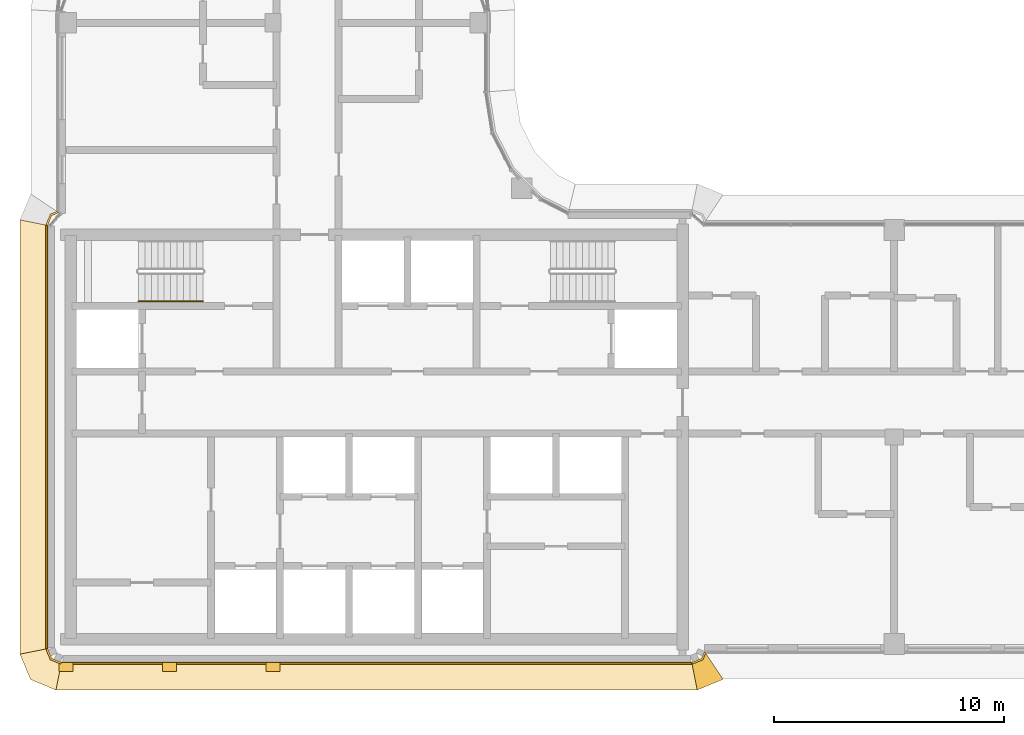
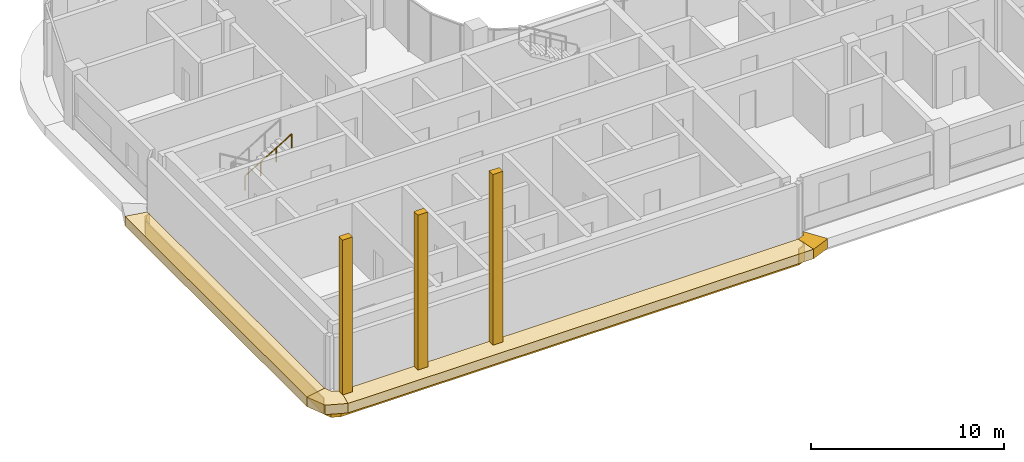
# One storey, part 16 of 20: 12 coverings, 1 railing.
"""IFC4 building model written with IfcOpenShell, lengths in metres."""

import ifcopenshell
import ifcopenshell.guid

model = None  # the IFC model being written
_history = None  # IfcOwnerHistory: only IFC2X3 demands one
_inside = {}  # id of a spatial element -> (the spatial element, [elements in it])
_under = {}  # id of a project, library or spatial element -> (it, [spatial elements below it])
_declared = {}  # id of a project -> (the project, [libraries it declares])
_typed = {}  # id of a type object -> (the type object, [elements of that type])
_made_of = {}  # id of a material, layer set ... -> (it, [elements and type objects made of it])


def new_model(schema):
    """Start an empty IFC model of exactly this schema.

    Asked for "IFC4X3", IfcOpenShell would pick the latest addendum, in which some entities
    have other attributes; the version numbers below select the first issue.
    IFC2X3 requires an IfcOwnerHistory on every rooted entity: one is made here for all.
    """
    global model, _history
    if schema == "IFC4X3":
        model = ifcopenshell.file(schema_version=(4, 3, 0, 0))
    else:
        model = ifcopenshell.file(schema=schema)
    _inside.clear()
    _under.clear()
    _declared.clear()
    _typed.clear()
    _made_of.clear()
    _history = None
    if model.schema == "IFC2X3":
        org = make("IfcOrganization", Name="unknown")
        user = make(
            "IfcPersonAndOrganization",
            ThePerson=make("IfcPerson", FamilyName="unknown"),
            TheOrganization=org,
        )
        app = make(
            "IfcApplication",
            ApplicationDeveloper=org,
            Version="unknown",
            ApplicationFullName="unknown",
            ApplicationIdentifier="unknown",
        )
        _history = make(
            "IfcOwnerHistory",
            OwningUser=user,
            OwningApplication=app,
            ChangeAction="ADDED",
            CreationDate=0,
        )
    return model


def make(cls, **values):
    """One entity of the class cls with the attributes given. An attribute that is None is left unset."""
    return model.create_entity(
        cls, **{name: value for name, value in values.items() if value is not None}
    )


def rooted(cls, **values):
    """An entity with a GlobalId (a new one), such as an element, a storey or a relation."""
    return make(cls, GlobalId=ifcopenshell.guid.new(), OwnerHistory=_history, **values)


def si_unit(unit_type, name, prefix=None):
    """IfcSIUnit, for example si_unit("LENGTHUNIT", "METRE", prefix="MILLI")."""
    return make("IfcSIUnit", UnitType=unit_type, Prefix=prefix, Name=name)


def assignment(units):
    """IfcUnitAssignment: the units of a project."""
    return None if units is None else make("IfcUnitAssignment", Units=units)


def point(xyz):
    """IfcCartesianPoint."""
    return None if xyz is None else make("IfcCartesianPoint", Coordinates=xyz)


def direction(xyz):
    """IfcDirection."""
    return None if xyz is None else make("IfcDirection", DirectionRatios=xyz)


def frame(location, z_axis=None, x_axis=None):
    """IfcAxis2Placement3D, a coordinate frame: its origin and axes. An axis left out is left unset."""
    return make(
        "IfcAxis2Placement3D",
        Location=point(location),
        Axis=direction(z_axis),
        RefDirection=direction(x_axis),
    )


def frame_2d(location, x_axis=None):
    """IfcAxis2Placement2D, a coordinate frame in the plane: its origin and x axis."""
    return make(
        "IfcAxis2Placement2D", Location=point(location), RefDirection=direction(x_axis)
    )


def origin():
    """The frame at (0, 0, 0) with its axes left unset."""
    return frame((0.0, 0.0, 0.0))


def origin_2d():
    """The frame at (0, 0) in the plane with its x axis left unset."""
    return frame_2d((0.0, 0.0))


def place(relative_to, where):
    """IfcLocalPlacement: puts the frame where relative to a parent placement (None: the world)."""
    return make(
        "IfcLocalPlacement", PlacementRelTo=relative_to, RelativePlacement=where
    )


def context(
    kind, dimensions, precision=None, world=None, true_north=None, identifier=None
):
    """IfcGeometricRepresentationContext, for example the 3D "Model" context."""
    return make(
        "IfcGeometricRepresentationContext",
        ContextIdentifier=identifier,
        ContextType=kind,
        CoordinateSpaceDimension=dimensions,
        Precision=precision,
        WorldCoordinateSystem=world,
        TrueNorth=true_north,
    )


def subcontext(parent, identifier, kind, view, scale=None):
    """IfcGeometricRepresentationSubContext, for example "Body" below "Model"."""
    return make(
        "IfcGeometricRepresentationSubContext",
        ContextIdentifier=identifier,
        ContextType=kind,
        ParentContext=parent,
        TargetScale=scale,
        TargetView=view,
    )


def project(units=None, contexts=None):
    """IfcProject with its units and contexts."""
    return rooted(
        "IfcProject",
        Name="project",
        RepresentationContexts=contexts,
        UnitsInContext=assignment(units),
    )


def spatial(cls, under=None, at=None, **own):
    """A site, building, storey or space (cls), placed at a placement, below another one or the project."""
    s = rooted(cls, ObjectPlacement=at, **own)
    if under is not None:
        _under.setdefault(under.id(), (under, []))[1].append(s)
    return s


def polyline(points):
    """IfcPolyline through the points."""
    return make("IfcPolyline", Points=[point(p) for p in points])


def profile(cls, at=None, kind="AREA", **sizes):
    """A parametric profile (cls). Its sizes go by their IFC names, for example OverallWidth=200.0."""
    return make(cls, ProfileType=kind, Position=at, **sizes)


def rectangle(**sizes):
    """IfcRectangleProfileDef."""
    return profile("IfcRectangleProfileDef", **sizes)


def circle(**sizes):
    """IfcCircleProfileDef."""
    return profile("IfcCircleProfileDef", **sizes)


def outline(outer, holes=None, kind="AREA"):
    """IfcArbitraryClosedProfileDef: a profile drawn as a closed curve; with holes, ...WithVoids."""
    if holes is None:
        return make("IfcArbitraryClosedProfileDef", ProfileType=kind, OuterCurve=outer)
    return make(
        "IfcArbitraryProfileDefWithVoids",
        ProfileType=kind,
        OuterCurve=outer,
        InnerCurves=holes,
    )


def extrude(swept, where, along, depth):
    """IfcExtrudedAreaSolid: the profile swept, set in the frame where, extruded along a direction by depth."""
    return make(
        "IfcExtrudedAreaSolid",
        SweptArea=swept,
        Position=where,
        ExtrudedDirection=direction(along),
        Depth=depth,
    )


def shape(context_of_items, identifier, shape_type, items):
    """IfcShapeRepresentation: the items that make up one representation, for example the "Body"."""
    return make(
        "IfcShapeRepresentation",
        ContextOfItems=context_of_items,
        RepresentationIdentifier=identifier,
        RepresentationType=shape_type,
        Items=items,
    )


def material(Name=None, Category=None):
    """IfcMaterial."""
    return make("IfcMaterial", Name=Name, Category=Category)


def layer(
    of_material, thickness, ventilated=None, Name=None, Category=None, Priority=None
):
    """IfcMaterialLayer: one layer of a wall or slab, of a material (None: an air gap)."""
    return make(
        "IfcMaterialLayer",
        Material=of_material,
        LayerThickness=thickness,
        IsVentilated=ventilated,
        Name=Name,
        Category=Category,
        Priority=Priority,
    )


def layer_set(layers, Name=None):
    """IfcMaterialLayerSet."""
    return make("IfcMaterialLayerSet", MaterialLayers=layers, LayerSetName=Name)


def made_of(thing, what):
    """Note that an element or type object is made of a material, layer set ...; save() writes the relation."""
    if what is not None:
        _made_of.setdefault(what.id(), (what, []))[1].append(thing)
    return thing


def type_object(cls, material=None, **own):
    """A type object (cls), such as IfcWallType, which elements share."""
    return made_of(rooted(cls, **own), material)


def element(
    cls,
    number,
    at=None,
    inside=None,
    cuts=None,
    type_object=None,
    material=None,
    context=None,
    identifier="Body",
    shape_type=None,
    held_by="IfcProductDefinitionShape",
    body=None,
    shapes=None,
    **own,
):
    """One element of the class cls, such as IfcWall. Its Tag is "e" and its number.

    at: its placement. inside: the storey or other place that contains it. cuts: it is an
    opening in that element (IfcRelVoidsElement). A single representation is given by context,
    identifier, shape_type and body (its items); several are given by shapes. held_by: the class
    of the entity that holds the representations. save() writes the other relations.
    """
    e = rooted(cls, Tag="e%d" % number, ObjectPlacement=at, **own)
    if body is not None:
        shapes = [shape(context, identifier, shape_type, body)]
    if shapes is not None:
        e.Representation = make(held_by, Representations=shapes)
    if inside is not None:
        _inside.setdefault(inside.id(), (inside, []))[1].append(e)
    if cuts is not None:
        rooted(
            "IfcRelVoidsElement", RelatingBuildingElement=cuts, RelatedOpeningElement=e
        )
    if type_object is not None:
        _typed.setdefault(type_object.id(), (type_object, []))[1].append(e)
    return made_of(e, material)


def aggregate(whole, parts):
    """IfcRelAggregates: a whole, such as a stair, and the parts it consists of."""
    return rooted("IfcRelAggregates", RelatingObject=whole, RelatedObjects=parts)


def save(model, path):
    """Write the relations noted so far, then the file.

    IfcRelAggregates (storeys below a building ...), IfcRelContainedInSpatialStructure (elements
    in a storey), IfcRelDefinesByType, IfcRelAssociatesMaterial and IfcRelDeclares: one each for
    every whole, place, type object, material and project.
    """
    for whole, parts in _under.values():
        aggregate(whole, parts)
    for where, things in _inside.values():
        rooted(
            "IfcRelContainedInSpatialStructure",
            RelatedElements=things,
            RelatingStructure=where,
        )
    for kind, things in _typed.values():
        rooted("IfcRelDefinesByType", RelatedObjects=things, RelatingType=kind)
    for what, things in _made_of.values():
        rooted("IfcRelAssociatesMaterial", RelatedObjects=things, RelatingMaterial=what)
    for by, libraries in _declared.values():
        rooted("IfcRelDeclares", RelatingContext=by, RelatedDefinitions=libraries)
    model.write(path)


model = new_model("IFC4")

# Units and contexts
model_context = context("Model", 3, precision=1e-05, world=origin(), true_north=direction((0.0, 1.0)))
body_context = subcontext(model_context, "Body", "Model", "MODEL_VIEW")
ifc_project = project(units=[si_unit("LENGTHUNIT", "METRE"), si_unit("AREAUNIT", "SQUARE_METRE"), si_unit("VOLUMEUNIT", "CUBIC_METRE"), si_unit("PLANEANGLEUNIT", "RADIAN"), si_unit("MASSUNIT", "GRAM", prefix="KILO")], contexts=[model_context])

# Site, building, storey
site_placement = place(None, origin())
site = spatial("IfcSite", under=ifc_project, at=site_placement, CompositionType="ELEMENT")
building_placement = place(site_placement, origin())
building = spatial("IfcBuilding", under=site, at=building_placement, Name="Ogive Portal Towers", CompositionType="ELEMENT")
storey_placement = place(building_placement, frame((0.0, 0.0, 214.300048828125)))
storey = spatial("IfcBuildingStorey", under=building, at=storey_placement, Name="L53", CompositionType="ELEMENT", Elevation=214.300048828125)

# Railing
ifc_material_1 = material(Name="Stainless steel handrail", Category="steel")
railing_type = type_object("IfcRailingType", Name="INT-HANDRAIL", PredefinedType="HANDRAIL", material=ifc_material_1)
railing_placement = place(storey_placement, frame((34.64990234375, 36.39990234375, 2.01806640625)))
element("IfcRailing", 1, at=railing_placement, inside=storey, type_object=railing_type, Name="L53 ST-A1 stair handrail 2", PredefinedType="HANDRAIL", context=body_context, shape_type="SweptSolid", body=[
    extrude(circle(Radius=0.02392578125, at=origin_2d()), frame((0.0, 0.0, 0.8759765625), z_axis=(0.857242210791, 0.0, 0.514913383045), x_axis=(0.0, 1.0, 0.0)), (0.0, 0.0, 1.0), 3.266357421875),
    extrude(circle(Radius=0.02099609375, at=origin_2d()), origin(), (0.0, 0.0, 1.0), 0.851806640625),
    extrude(circle(Radius=0.02099609375, at=origin_2d()), frame((0.933349609375, 0.0, 0.560546875)), (0.0, 0.0, 1.0), 0.851806640625),
    extrude(circle(Radius=0.02099609375, at=origin_2d()), frame((1.86669921875, 0.0, 1.121337890625)), (0.0, 0.0, 1.0), 0.851806640625),
    extrude(circle(Radius=0.02099609375, at=origin_2d()), frame((2.800048828125, 0.0, 1.681884765625)), (0.0, 0.0, 1.0), 0.851806640625),
])

# Coverings
ifc_material_2 = material(Name="Limestone cladding on lightweight block wall", Category="masonry")
ifc_layer_1 = layer(ifc_material_2, 0.39990234375)
ifc_layer_set_1 = layer_set([ifc_layer_1], Name="SPINE PIER STONE")
covering_type_1 = type_object("IfcCoveringType", Name="SPINE PIER STONE", PredefinedType="CLADDING", material=ifc_layer_set_1)
for number, where, z_axis, x_axis, name in (
    (2, (31.5, 20.5, 0.0), (0.0, 0.0, 1.0), (1.0, 0.0, 0.0), "SPINE PIER"),
    (3, (36.0, 20.5, 0.0), (0.0, 0.0, 1.0), (1.0, 0.0, 0.0), "SPINE PIER"),
):
    element("IfcCovering", number, at=place(storey_placement, frame(where, z_axis=z_axis, x_axis=x_axis)), inside=storey, type_object=covering_type_1, Name=name, PredefinedType="CLADDING", context=body_context, shape_type="SweptSolid", body=[
        extrude(rectangle(XDim=0.60009765625, YDim=0.39990234375, at=origin_2d()), origin(), (0.0, 0.0, 1.0), 9.800048828125),
    ])
covering_1_placement = place(storey_placement, frame((40.5, 20.5, 0.0), z_axis=(0.0, 0.0, 1.0), x_axis=(1.0, 0.0, 0.0)))
element("IfcCovering", 4, at=covering_1_placement, inside=storey, type_object=covering_type_1, Name="SPINE PIER", PredefinedType="CLADDING", context=body_context, shape_type="SweptSolid", body=[
    extrude(rectangle(XDim=0.60009765625, YDim=0.39990234375, at=origin_2d()), origin(), (0.0, 0.0, 1.0), 10.800048828125),
])
ifc_layer_2 = layer(ifc_material_2, 0.080078125)
ifc_layer_set_2 = layer_set([ifc_layer_2], Name="STONE SPANDREL 80")
covering_type_2 = type_object("IfcCoveringType", Name="STONE SPANDREL 80", PredefinedType="CLADDING", material=ifc_layer_set_2)
covering_2_placement = place(storey_placement, frame((0.0, 0.0, -1.60009765625)))
element("IfcCovering", 5, at=covering_2_placement, inside=storey, type_object=covering_type_2, Name="Stone spandrel A1-F07", PredefinedType="CLADDING", context=body_context, shape_type="SweptSolid", body=[
    extrude(outline(polyline([(31.179931640625, 40.250244140625), (30.875732421875, 40.124267578125), (30.699951171875, 39.699951171875), (30.6201171875, 39.7158203125), (30.814453125, 40.185546875), (31.10009765625, 40.3037109375), (31.179931640625, 40.250244140625)])), origin(), (0.0, 0.0, 1.0), 1.0),
])
covering_3_placement = place(storey_placement, frame((0.0, 0.0, -1.60009765625)))
element("IfcCovering", 6, at=covering_3_placement, inside=storey, type_object=covering_type_2, Name="Stone spandrel A1-F08", PredefinedType="CLADDING", context=body_context, shape_type="SweptSolid", body=[
    extrude(outline(polyline([(30.699951171875, 39.699951171875), (30.699951171875, 21.300048828125), (30.6201171875, 21.2841796875), (30.6201171875, 39.7158203125), (30.699951171875, 39.699951171875)])), origin(), (0.0, 0.0, 1.0), 1.0),
])
covering_4_placement = place(storey_placement, frame((0.0, 0.0, -1.60009765625)))
element("IfcCovering", 7, at=covering_4_placement, inside=storey, type_object=covering_type_2, Name="Stone spandrel A1-F09", PredefinedType="CLADDING", context=body_context, shape_type="SweptSolid", body=[
    extrude(outline(polyline([(30.699951171875, 21.300048828125), (30.875732421875, 20.875732421875), (31.300048828125, 20.699951171875), (31.2841796875, 20.6201171875), (30.814453125, 20.814453125), (30.6201171875, 21.2841796875), (30.699951171875, 21.300048828125)])), origin(), (0.0, 0.0, 1.0), 1.0),
])
covering_5_placement = place(storey_placement, frame((0.0, 0.0, -1.60009765625)))
element("IfcCovering", 8, at=covering_5_placement, inside=storey, type_object=covering_type_2, Name="Stone spandrel A1-F10", PredefinedType="CLADDING", context=body_context, shape_type="SweptSolid", body=[
    extrude(outline(polyline([(31.300048828125, 20.699951171875), (58.699951171875, 20.699951171875), (58.7158203125, 20.6201171875), (31.2841796875, 20.6201171875), (31.300048828125, 20.699951171875)])), origin(), (0.0, 0.0, 1.0), 1.0),
])
covering_6_placement = place(storey_placement, frame((0.0, 0.0, -1.60009765625)))
element("IfcCovering", 9, at=covering_6_placement, inside=storey, type_object=covering_type_2, Name="Stone spandrel A1-F11", PredefinedType="CLADDING", context=body_context, shape_type="SweptSolid", body=[
    extrude(outline(polyline([(58.699951171875, 20.699951171875), (59.124267578125, 20.875732421875), (59.250244140625, 21.179931640625), (59.3037109375, 21.10009765625), (59.185546875, 20.814453125), (58.7158203125, 20.6201171875), (58.699951171875, 20.699951171875)])), origin(), (0.0, 0.0, 1.0), 1.0),
])
ifc_layer_3 = layer(ifc_material_2, 0.60009765625)
ifc_layer_set_3 = layer_set([ifc_layer_3], Name="SUNSHADE LIP 600")
covering_type_3 = type_object("IfcCoveringType", Name="SUNSHADE LIP 600", PredefinedType="CLADDING", material=ifc_layer_set_3)
covering_7_placement = place(storey_placement, frame((0.0, 0.0, -0.60009765625)))
element("IfcCovering", 10, at=covering_7_placement, inside=storey, type_object=covering_type_3, Name="Sunshade lip A1-F08", PredefinedType="CLADDING", context=body_context, shape_type="SweptSolid", body=[
    extrude(outline(polyline([(30.699951171875, 39.699951171875), (30.699951171875, 21.300048828125), (29.5, 21.061279296875), (29.5, 39.938720703125), (30.699951171875, 39.699951171875)])), origin(), (0.0, 0.0, 1.0), 0.60009765625),
])
covering_8_placement = place(storey_placement, frame((0.0, 0.0, -0.60009765625)))
element("IfcCovering", 11, at=covering_8_placement, inside=storey, type_object=covering_type_3, Name="Sunshade lip A1-F09", PredefinedType="CLADDING", context=body_context, shape_type="SweptSolid", body=[
    extrude(outline(polyline([(30.699951171875, 21.300048828125), (30.875732421875, 20.875732421875), (31.300048828125, 20.699951171875), (31.061279296875, 19.5), (29.957275390625, 19.957275390625), (29.5, 21.061279296875), (30.699951171875, 21.300048828125)])), origin(), (0.0, 0.0, 1.0), 0.60009765625),
])
covering_9_placement = place(storey_placement, frame((0.0, 0.0, -0.60009765625)))
element("IfcCovering", 12, at=covering_9_placement, inside=storey, type_object=covering_type_3, Name="Sunshade lip A1-F10", PredefinedType="CLADDING", context=body_context, shape_type="SweptSolid", body=[
    extrude(outline(polyline([(31.300048828125, 20.699951171875), (58.699951171875, 20.699951171875), (58.938720703125, 19.5), (31.061279296875, 19.5), (31.300048828125, 20.699951171875)])), origin(), (0.0, 0.0, 1.0), 0.60009765625),
])
covering_10_placement = place(storey_placement, frame((0.0, 0.0, -0.60009765625)))
element("IfcCovering", 13, at=covering_10_placement, inside=storey, type_object=covering_type_3, Name="Sunshade lip A1-F11", PredefinedType="CLADDING", context=body_context, shape_type="SweptSolid", body=[
    extrude(outline(polyline([(58.699951171875, 20.699951171875), (59.124267578125, 20.875732421875), (59.250244140625, 21.179931640625), (60.052001953125, 19.97998046875), (60.042724609375, 19.957275390625), (58.938720703125, 19.5), (58.699951171875, 20.699951171875)])), origin(), (0.0, 0.0, 1.0), 0.60009765625),
])

save(model, "model.ifc")
